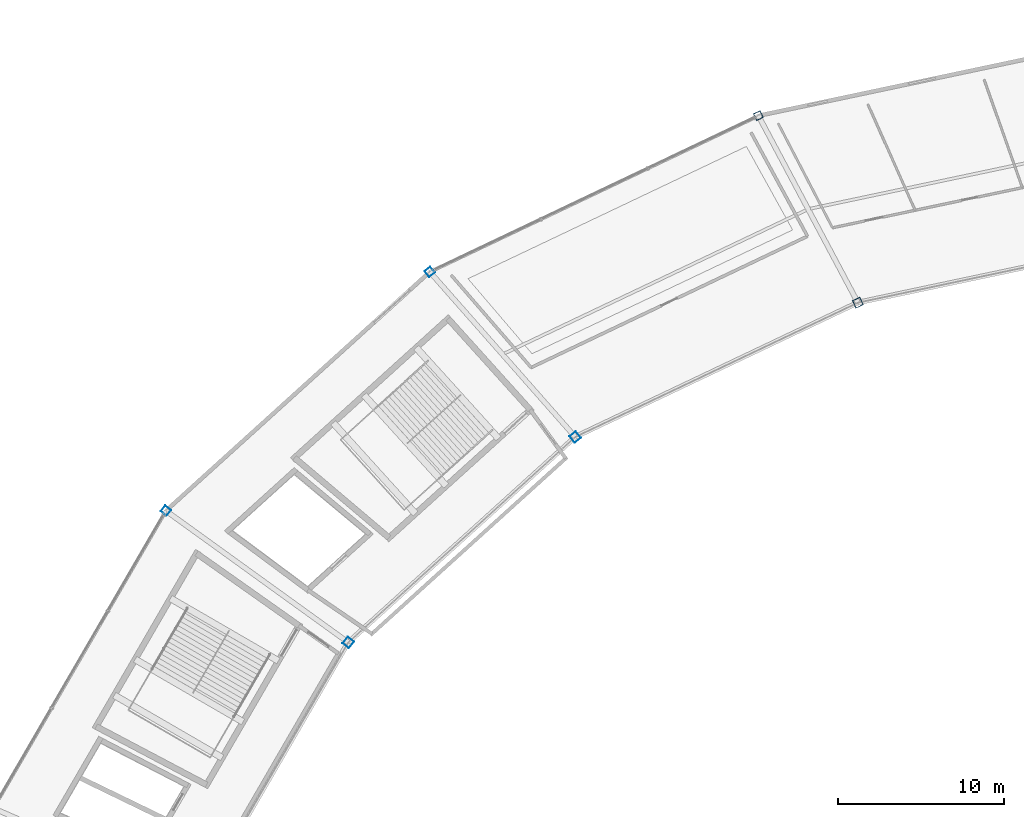
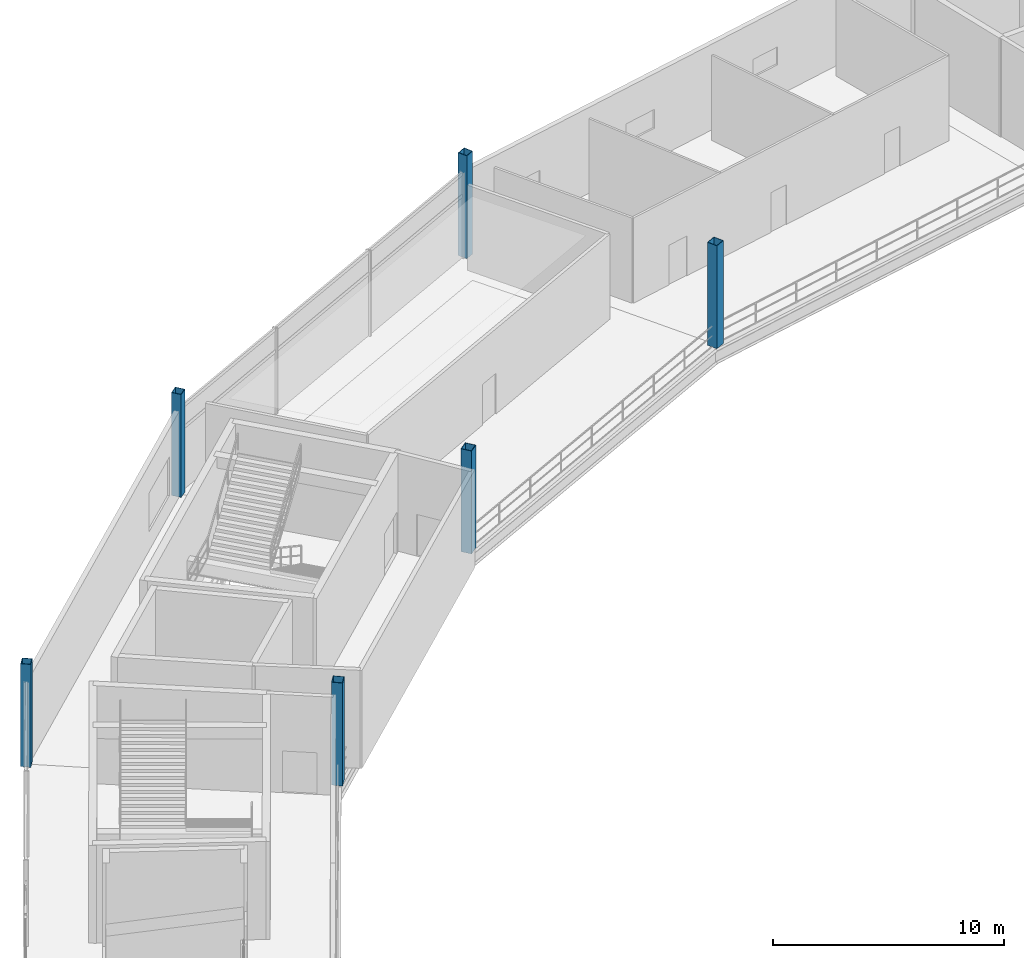
# One storey, part 8 of 103: 6 columns.
"""IFC4 building model written with IfcOpenShell, lengths in metres."""

from ifc_helpers import new_model, si_unit, direction, frame, origin, origin_2d, place, context, subcontext, project, spatial, hollow_rectangle, extrude, material, material_profile, profile_set, type_object, element, save


model = new_model("IFC4")

# Units and contexts
model_context = context("Model", 3, precision=1e-05, world=origin(), true_north=direction((0.0, 1.0)))
body_context = subcontext(model_context, "Body", "Model", "MODEL_VIEW")
ifc_project = project(units=[si_unit("LENGTHUNIT", "METRE"), si_unit("AREAUNIT", "SQUARE_METRE"), si_unit("VOLUMEUNIT", "CUBIC_METRE"), si_unit("PLANEANGLEUNIT", "RADIAN"), si_unit("MASSUNIT", "GRAM", prefix="KILO")], contexts=[model_context])

# Site, building, storey
site_placement = place(None, origin())
site = spatial("IfcSite", under=ifc_project, at=site_placement, CompositionType="ELEMENT")
building_placement = place(site_placement, origin())
building = spatial("IfcBuilding", under=site, at=building_placement, Name="Kazemori Nagisa Stadium", CompositionType="ELEMENT")
storey_placement = place(building_placement, frame((0.0, 0.0, 25.840087890625)))
storey = spatial("IfcBuildingStorey", under=building, at=storey_placement, Name="L05", CompositionType="ELEMENT", Elevation=25.840087890625)

# Columns
ifc_material = material(Name="Steel STKR490", Category="steel")
ifc_material_profile_1 = material_profile(ifc_material, hollow_rectangle(XDim=0.449951171875, YDim=0.449951171875, WallThickness=0.02197265625, at=origin_2d()), Name="SHS-450x450x22")
ifc_profile_set_1 = profile_set([ifc_material_profile_1], Name="Steel STKR490")
column_type_1 = type_object("IfcColumnType", Name="Column_C-ST450", PredefinedType="COLUMN", material=ifc_profile_set_1)
for number, where, z_axis, x_axis, name in (
    (1, (80.1953125, 182.46435546875, 0.0), (0.0, 0.0, 1.0), (-0.433883739113, 0.900968867905, 0.0), "Column C-ST450 L05 R3-10"),
    (2, (60.402099609375, 173.05908203125, 0.0), (0.0, 0.0, 1.0), (-0.623489801853, 0.781831482473, 0.0), "Column C-ST450 L05 R3-11"),
    (3, (44.504638671875, 158.667724609375, 0.0), (0.0, 0.0, 1.0), (-0.781831482473, 0.623489801853, 0.0), "Column C-ST450 L05 R3-12"),
):
    element("IfcColumn", number, at=place(storey_placement, frame(where, z_axis=z_axis, x_axis=x_axis)), inside=storey, type_object=column_type_1, Name=name, PredefinedType="COLUMN", context=body_context, shape_type="SweptSolid", body=[
        extrude(hollow_rectangle(XDim=0.449951171875, YDim=0.449951171875, WallThickness=0.02197265625, at=origin_2d()), origin(), (0.0, 0.0, 1.0), 5.43994140625),
    ])
ifc_material_profile_2 = material_profile(ifc_material, hollow_rectangle(XDim=0.5, YDim=0.5, WallThickness=0.02197265625, at=origin_2d()), Name="SHS-500x500x22")
ifc_profile_set_2 = profile_set([ifc_material_profile_2], Name="Steel STKR490")
column_type_2 = type_object("IfcColumnType", Name="Column_C-ST500", PredefinedType="COLUMN", material=ifc_profile_set_2)
for number, where, z_axis, x_axis, name in (
    (4, (86.18798828125, 171.19921875, 0.0), (0.0, 0.0, 1.0), (-0.433883739113, 0.900968867905, 0.0), "Column C-ST500 L05 R2-10"),
    (5, (69.165771484375, 163.11083984375, 0.0), (0.0, 0.0, 1.0), (-0.623489801853, 0.781831482473, 0.0), "Column C-ST500 L05 R2-11"),
    (6, (55.493896484375, 150.734130859375, 0.0), (0.0, 0.0, 1.0), (-0.781831482473, 0.623489801853, 0.0), "Column C-ST500 L05 R2-12"),
):
    element("IfcColumn", number, at=place(storey_placement, frame(where, z_axis=z_axis, x_axis=x_axis)), inside=storey, type_object=column_type_2, Name=name, PredefinedType="COLUMN", context=body_context, shape_type="SweptSolid", body=[
        extrude(hollow_rectangle(XDim=0.5, YDim=0.5, WallThickness=0.02197265625, at=origin_2d()), origin(), (0.0, 0.0, 1.0), 5.43994140625),
    ])

save(model, "model.ifc")
